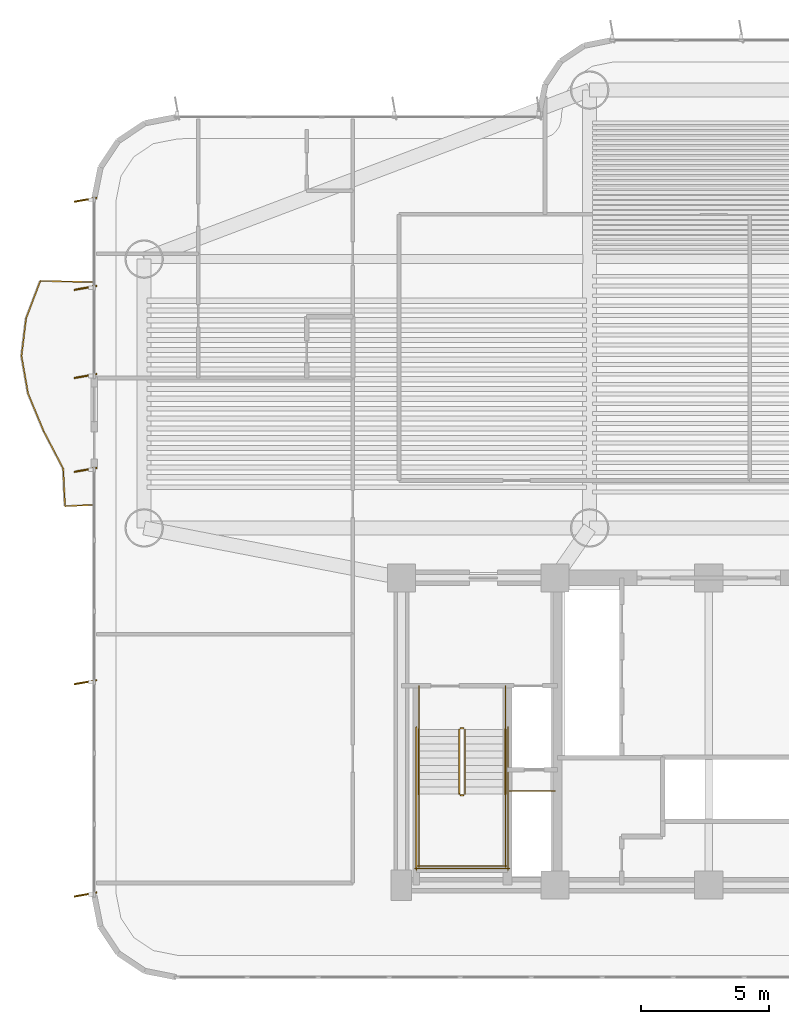
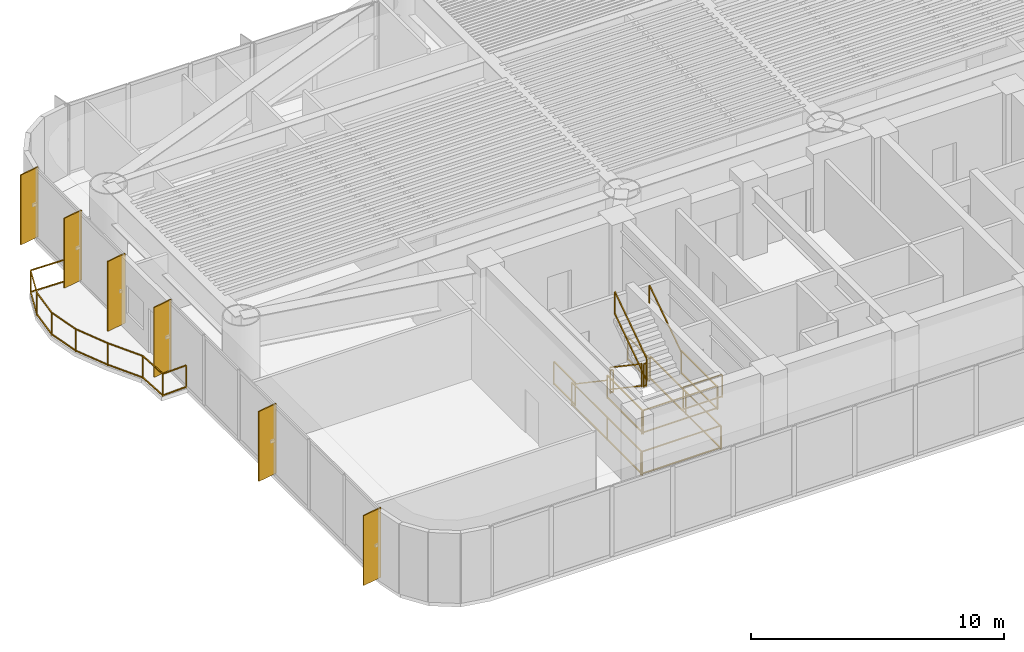
# One storey, part 14 of 17: 16 railings, 6 shading devices.
"""IFC4 building model written with IfcOpenShell, lengths in metres."""

from ifc_helpers import new_model, si_unit, direction, frame, origin, origin_2d, place, context, subcontext, project, spatial, rectangle, extrude, source, transform, mapped, material, layer, layer_set, material_profile, profile_set, type_object, element, save


model = new_model("IFC4")

# Units and contexts
model_context = context("Model", 3, precision=1e-05, world=origin(), true_north=direction((0.0, 1.0)))
body_context = subcontext(model_context, "Body", "Model", "MODEL_VIEW")
ifc_project = project(units=[si_unit("LENGTHUNIT", "METRE"), si_unit("AREAUNIT", "SQUARE_METRE"), si_unit("VOLUMEUNIT", "CUBIC_METRE"), si_unit("PLANEANGLEUNIT", "RADIAN"), si_unit("MASSUNIT", "GRAM", prefix="KILO")], contexts=[model_context])

# Site, building, storey
site_placement = place(None, origin())
site = spatial("IfcSite", under=ifc_project, at=site_placement, CompositionType="ELEMENT")
building_placement = place(site_placement, origin())
building = spatial("IfcBuilding", under=site, at=building_placement, Name="Brelvock Crest Care Tower", CompositionType="ELEMENT")
storey_placement = place(building_placement, frame((0.0, 0.0, 76.139892578125)))
storey = spatial("IfcBuildingStorey", under=building, at=storey_placement, Name="L19", CompositionType="ELEMENT", Elevation=76.139892578125)

# Railings
ifc_material_1 = material(Name="Dark Glass Double Glazed Low-E", Category="glass")
ifc_layer_1 = layer(ifc_material_1, 0.06005859375, Name="RL-BAL1")
ifc_layer_set_1 = layer_set([ifc_layer_1], Name="Dark Glass Double Glazed Low-E")
railing_type_1 = type_object("IfcRailingType", Name="RL-BAL1", PredefinedType="BALUSTRADE", material=ifc_layer_set_1)
railing_1_placement = place(storey_placement, frame((11.9599609375, 20.85009765625, 0.004150390625)))
element("IfcRailing", 1, at=railing_1_placement, inside=storey, type_object=railing_type_1, Name="L19 Safety Balustrade WB-W", PredefinedType="BALUSTRADE", context=body_context, shape_type="SweptSolid", body=[
    extrude(rectangle(XDim=0.048095703125, YDim=0.048095703125, at=origin_2d()), frame((-0.001953125, 0.0, 1.09619140625), z_axis=(-0.998966252902, -0.045457953795, 0.0), x_axis=(0.045457953795, -0.998966252902, 0.0)), (0.0, 0.0, 1.0), 1.096923828125),
    extrude(rectangle(XDim=0.048095703125, YDim=0.048095703125, at=origin_2d()), frame((-0.001953125, 0.0, 0.054931640625), z_axis=(-0.998966252902, -0.045457953795, 0.0), x_axis=(0.045457953795, -0.998966252902, 0.0)), (0.0, 0.0, 1.0), 1.096923828125),
    extrude(rectangle(XDim=0.048095703125, YDim=0.048095703125, at=origin_2d()), frame((-1.099853515625, -0.048095703125, 1.09619140625), z_axis=(-0.047225425177, 0.998884257167, 0.0), x_axis=(-0.998884257167, -0.047225425177, 0.0)), (0.0, 0.0, 1.0), 1.464111328125),
    extrude(rectangle(XDim=0.048095703125, YDim=0.048095703125, at=origin_2d()), frame((-1.099853515625, -0.048095703125, 0.054931640625), z_axis=(-0.047225425177, 0.998884257167, 0.0), x_axis=(-0.998884257167, -0.047225425177, 0.0)), (0.0, 0.0, 1.0), 1.464111328125),
    extrude(rectangle(XDim=0.048095703125, YDim=0.048095703125, at=origin_2d()), frame((-1.170166015625, 1.418212890625, 1.09619140625), z_axis=(-0.462263335989, 0.8867426956, 0.0), x_axis=(-0.8867426956, -0.462263335989, 0.0)), (0.0, 0.0, 1.0), 1.650146484375),
    extrude(rectangle(XDim=0.048095703125, YDim=0.048095703125, at=origin_2d()), frame((-1.170166015625, 1.418212890625, 0.054931640625), z_axis=(-0.462263335989, 0.8867426956, 0.0), x_axis=(-0.8867426956, -0.462263335989, 0.0)), (0.0, 0.0, 1.0), 1.650146484375),
    extrude(rectangle(XDim=0.048095703125, YDim=0.048095703125, at=origin_2d()), frame((-1.9345703125, 2.88525390625, 1.09619140625), z_axis=(-0.383184627058, 0.923671771565, 0.0), x_axis=(-0.923671771565, -0.383184627058, 0.0)), (0.0, 0.0, 1.0), 1.583740234375),
    extrude(rectangle(XDim=0.048095703125, YDim=0.048095703125, at=origin_2d()), frame((-1.9345703125, 2.88525390625, 0.054931640625), z_axis=(-0.383184627058, 0.923671771565, 0.0), x_axis=(-0.923671771565, -0.383184627058, 0.0)), (0.0, 0.0, 1.0), 1.583740234375),
    extrude(rectangle(XDim=0.048095703125, YDim=0.048095703125, at=origin_2d()), frame((-2.54248046875, 4.351806640625, 1.09619140625), z_axis=(-0.171839377524, 0.985124981072, 0.0), x_axis=(-0.985124981072, -0.171839377524, 0.0)), (0.0, 0.0, 1.0), 1.48486328125),
    extrude(rectangle(XDim=0.048095703125, YDim=0.048095703125, at=origin_2d()), frame((-2.54248046875, 4.351806640625, 0.054931640625), z_axis=(-0.171839377524, 0.985124981072, 0.0), x_axis=(-0.985124981072, -0.171839377524, 0.0)), (0.0, 0.0, 1.0), 1.48486328125),
    extrude(rectangle(XDim=0.048095703125, YDim=0.048095703125, at=origin_2d()), frame((-2.7978515625, 5.818603515625, 1.09619140625), z_axis=(0.121125859225, 0.992637157388, 0.0), x_axis=(-0.992637157388, 0.121125859225, 0.0)), (0.0, 0.0, 1.0), 1.473388671875),
    extrude(rectangle(XDim=0.048095703125, YDim=0.048095703125, at=origin_2d()), frame((-2.7978515625, 5.818603515625, 0.054931640625), z_axis=(0.121125859225, 0.992637157388, 0.0), x_axis=(-0.992637157388, 0.121125859225, 0.0)), (0.0, 0.0, 1.0), 1.473388671875),
    extrude(rectangle(XDim=0.048095703125, YDim=0.048095703125, at=origin_2d()), frame((-2.618408203125, 7.28515625, 1.09619140625), z_axis=(0.354668308232, 0.93499218774, 0.0), x_axis=(-0.93499218774, 0.354668308232, 0.0)), (0.0, 0.0, 1.0), 1.564697265625),
    extrude(rectangle(XDim=0.048095703125, YDim=0.048095703125, at=origin_2d()), frame((-2.618408203125, 7.28515625, 0.054931640625), z_axis=(0.354668308232, 0.93499218774, 0.0), x_axis=(-0.93499218774, 0.354668308232, 0.0)), (0.0, 0.0, 1.0), 1.564697265625),
    extrude(rectangle(XDim=0.048095703125, YDim=0.048095703125, at=origin_2d()), frame((-2.060791015625, 8.75, 1.09619140625), z_axis=(0.999705777823, -0.024256087638, 0.0), x_axis=(0.024256087638, 0.999705777823, 0.0)), (0.0, 0.0, 1.0), 2.059326171875),
    extrude(rectangle(XDim=0.048095703125, YDim=0.048095703125, at=origin_2d()), frame((-2.060791015625, 8.75, 0.054931640625), z_axis=(0.999705777823, -0.024256087638, 0.0), x_axis=(0.024256087638, 0.999705777823, 0.0)), (0.0, 0.0, 1.0), 2.059326171875),
    extrude(rectangle(XDim=0.0419921875, YDim=0.0419921875, at=origin_2d()), origin(), (0.0, 0.0, 1.0), 1.070068359375),
    extrude(rectangle(XDim=0.0419921875, YDim=0.0419921875, at=origin_2d()), frame((-1.099853515625, -0.050048828125, 0.0)), (0.0, 0.0, 1.0), 1.070068359375),
    extrude(rectangle(XDim=0.0419921875, YDim=0.0419921875, at=origin_2d()), frame((-1.169189453125, 1.41650390625, 0.0)), (0.0, 0.0, 1.0), 1.070068359375),
    extrude(rectangle(XDim=0.0419921875, YDim=0.0419921875, at=origin_2d()), frame((-1.933837890625, 2.88330078125, 0.0)), (0.0, 0.0, 1.0), 1.070068359375),
    extrude(rectangle(XDim=0.0419921875, YDim=0.0419921875, at=origin_2d()), frame((-2.542236328125, 4.349853515625, 0.0)), (0.0, 0.0, 1.0), 1.070068359375),
    extrude(rectangle(XDim=0.0419921875, YDim=0.0419921875, at=origin_2d()), frame((-2.798095703125, 5.816650390625, 0.0)), (0.0, 0.0, 1.0), 1.070068359375),
    extrude(rectangle(XDim=0.0419921875, YDim=0.0419921875, at=origin_2d()), frame((-2.619140625, 7.283203125, 0.0)), (0.0, 0.0, 1.0), 1.070068359375),
    extrude(rectangle(XDim=0.0419921875, YDim=0.0419921875, at=origin_2d()), frame((-2.062744140625, 8.75, 0.0)), (0.0, 0.0, 1.0), 1.070068359375),
    extrude(rectangle(XDim=0.0419921875, YDim=0.0419921875, at=origin_2d()), frame((0.0, 8.699951171875, 0.0)), (0.0, 0.0, 1.0), 1.070068359375),
])
ifc_material_2 = material(Name="Steel Grade 350", Category="steel")
ifc_layer_2 = layer(ifc_material_2, 0.050048828125, Name="RL-STG1")
ifc_layer_set_2 = layer_set([ifc_layer_2], Name="Steel Grade 350")
railing_type_2 = type_object("IfcRailingType", Name="RL-STG1", PredefinedType="GUARDRAIL", material=ifc_layer_set_2)
railing_2_placement = place(storey_placement, frame((26.260009765625, 12.080078125, 0.189208984375)))
element("IfcRailing", 2, at=railing_2_placement, inside=storey, type_object=railing_type_2, Name="L19 ST-1 stair guard 1", PredefinedType="GUARDRAIL", context=body_context, shape_type="SweptSolid", body=[
    extrude(rectangle(XDim=0.048095703125, YDim=0.048095703125, at=origin_2d()), frame((0.0, -0.001708984375, 1.116943359375), z_axis=(0.0, -0.828861706735, 0.559453546873), x_axis=(1.0, 0.0, 0.0)), (0.0, 0.0, 1.0), 3.036376953125),
    extrude(rectangle(XDim=0.048095703125, YDim=0.048095703125, at=origin_2d()), frame((0.0, -0.001708984375, 0.05615234375), z_axis=(0.0, -0.828861706735, 0.559453546873), x_axis=(1.0, 0.0, 0.0)), (0.0, 0.0, 1.0), 3.036376953125),
    extrude(rectangle(XDim=0.0419921875, YDim=0.0419921875, at=origin_2d()), origin(), (0.0, 0.0, 1.0), 1.08984375),
    extrude(rectangle(XDim=0.0419921875, YDim=0.0419921875, at=origin_2d()), frame((0.0, -2.52001953125, 1.700927734375)), (0.0, 0.0, 1.0), 1.08984375),
])
railing_3_placement = place(storey_placement, frame((26.31005859375, 9.510009765625, 1.89013671875)))
element("IfcRailing", 3, at=railing_3_placement, inside=storey, type_object=railing_type_2, Name="L19 ST-1 stair guard 2", PredefinedType="GUARDRAIL", context=body_context, shape_type="SweptSolid", body=[
    extrude(rectangle(XDim=0.048095703125, YDim=0.048095703125, at=origin_2d()), frame((0.001953125, 0.0, 1.11572265625), z_axis=(1.0, 0.0, 0.0), x_axis=(0.0, 1.0, 0.0)), (0.0, 0.0, 1.0), 0.115966796875),
    extrude(rectangle(XDim=0.048095703125, YDim=0.048095703125, at=origin_2d()), frame((0.001953125, 0.0, 0.054931640625), z_axis=(1.0, 0.0, 0.0), x_axis=(0.0, 1.0, 0.0)), (0.0, 0.0, 1.0), 0.115966796875),
    extrude(rectangle(XDim=0.0419921875, YDim=0.0419921875, at=origin_2d()), origin(), (0.0, 0.0, 1.0), 1.08984375),
    extrude(rectangle(XDim=0.0419921875, YDim=0.0419921875, at=origin_2d()), frame((0.119873046875, 0.0, 0.0)), (0.0, 0.0, 1.0), 1.08984375),
])
for number, where, name in (
    (4, (24.679931640625, 9.56005859375, 1.89013671875), "L19 ST-1 stair guard 3"),
    (5, (28.06005859375, 9.56005859375, 1.89013671875), "L19 ST-1 stair guard 4"),
):
    element("IfcRailing", number, at=place(storey_placement, frame(where)), inside=storey, type_object=railing_type_2, Name=name, PredefinedType="GUARDRAIL", context=body_context, shape_type="SweptSolid", body=[
        extrude(rectangle(XDim=0.048095703125, YDim=0.048095703125, at=origin_2d()), frame((0.0, -0.001953125, 1.11572265625), z_axis=(0.0, -1.0, 0.0), x_axis=(1.0, 0.0, 0.0)), (0.0, 0.0, 1.0), 2.856201171875),
        extrude(rectangle(XDim=0.048095703125, YDim=0.048095703125, at=origin_2d()), frame((0.0, -0.001953125, 0.054931640625), z_axis=(0.0, -1.0, 0.0), x_axis=(1.0, 0.0, 0.0)), (0.0, 0.0, 1.0), 2.856201171875),
        extrude(rectangle(XDim=0.0419921875, YDim=0.0419921875, at=origin_2d()), origin(), (0.0, 0.0, 1.0), 1.08984375),
        extrude(rectangle(XDim=0.0419921875, YDim=0.0419921875, at=origin_2d()), frame((0.0, -2.860107421875, 0.0)), (0.0, 0.0, 1.0), 1.08984375),
    ])
railing_4_placement = place(storey_placement, frame((24.6298828125, 6.75, 1.89013671875)))
element("IfcRailing", 6, at=railing_4_placement, inside=storey, type_object=railing_type_2, Name="L19 ST-1 stair guard 5", PredefinedType="GUARDRAIL", context=body_context, shape_type="SweptSolid", body=[
    extrude(rectangle(XDim=0.048095703125, YDim=0.048095703125, at=origin_2d()), frame((0.001953125, 0.0, 1.11572265625), z_axis=(1.0, 0.0, 0.0), x_axis=(0.0, 1.0, 0.0)), (0.0, 0.0, 1.0), 3.476318359375),
    extrude(rectangle(XDim=0.048095703125, YDim=0.048095703125, at=origin_2d()), frame((0.001953125, 0.0, 0.054931640625), z_axis=(1.0, 0.0, 0.0), x_axis=(0.0, 1.0, 0.0)), (0.0, 0.0, 1.0), 3.476318359375),
    extrude(rectangle(XDim=0.0419921875, YDim=0.0419921875, at=origin_2d()), origin(), (0.0, 0.0, 1.0), 1.08984375),
    extrude(rectangle(XDim=0.0419921875, YDim=0.0419921875, at=origin_2d()), frame((3.480224609375, 0.0, 0.0)), (0.0, 0.0, 1.0), 1.08984375),
])
railing_5_placement = place(storey_placement, frame((26.47998046875, 9.56005859375, 2.0791015625)))
element("IfcRailing", 7, at=railing_5_placement, inside=storey, type_object=railing_type_2, Name="L19 ST-1 stair guard 6", PredefinedType="GUARDRAIL", context=body_context, shape_type="SweptSolid", body=[
    extrude(rectangle(XDim=0.048095703125, YDim=0.048095703125, at=origin_2d()), frame((0.0, 0.001708984375, 1.116943359375), z_axis=(0.0, 0.828861706735, 0.559453546873), x_axis=(-1.0, 0.0, 0.0)), (0.0, 0.0, 1.0), 3.036376953125),
    extrude(rectangle(XDim=0.048095703125, YDim=0.048095703125, at=origin_2d()), frame((0.0, 0.001708984375, 0.05615234375), z_axis=(0.0, 0.828861706735, 0.559453546873), x_axis=(-1.0, 0.0, 0.0)), (0.0, 0.0, 1.0), 3.036376953125),
    extrude(rectangle(XDim=0.0419921875, YDim=0.0419921875, at=origin_2d()), origin(), (0.0, 0.0, 1.0), 1.08984375),
    extrude(rectangle(XDim=0.0419921875, YDim=0.0419921875, at=origin_2d()), frame((0.0, 2.52001953125, 1.700927734375)), (0.0, 0.0, 1.0), 1.08984375),
])
railing_6_placement = place(storey_placement, frame((26.31005859375, 12.1298828125, 0.0)))
element("IfcRailing", 8, at=railing_6_placement, inside=storey, type_object=railing_type_2, Name="L19 ST-1 stair guard 7", PredefinedType="GUARDRAIL", context=body_context, shape_type="SweptSolid", body=[
    extrude(rectangle(XDim=0.048095703125, YDim=0.048095703125, at=origin_2d()), frame((0.001953125, 0.0, 1.11572265625), z_axis=(1.0, 0.0, 0.0), x_axis=(0.0, 1.0, 0.0)), (0.0, 0.0, 1.0), 0.115966796875),
    extrude(rectangle(XDim=0.048095703125, YDim=0.048095703125, at=origin_2d()), frame((0.001953125, 0.0, 0.054931640625), z_axis=(1.0, 0.0, 0.0), x_axis=(0.0, 1.0, 0.0)), (0.0, 0.0, 1.0), 0.115966796875),
    extrude(rectangle(XDim=0.0419921875, YDim=0.0419921875, at=origin_2d()), origin(), (0.0, 0.0, 1.0), 1.08984375),
    extrude(rectangle(XDim=0.0419921875, YDim=0.0419921875, at=origin_2d()), frame((0.119873046875, 0.0, 0.0)), (0.0, 0.0, 1.0), 1.08984375),
])
for number, where, name in (
    (9, (24.679931640625, 13.780029296875, 0.0), "L19 ST-1 stair guard 8"),
    (10, (28.06005859375, 13.780029296875, 0.0), "L19 ST-1 stair guard 9"),
):
    element("IfcRailing", number, at=place(storey_placement, frame(where)), inside=storey, type_object=railing_type_2, Name=name, PredefinedType="GUARDRAIL", context=body_context, shape_type="SweptSolid", body=[
        extrude(rectangle(XDim=0.048095703125, YDim=0.048095703125, at=origin_2d()), frame((0.0, -0.001953125, 1.11572265625), z_axis=(0.0, -1.0, 0.0), x_axis=(1.0, 0.0, 0.0)), (0.0, 0.0, 1.0), 1.696044921875),
        extrude(rectangle(XDim=0.048095703125, YDim=0.048095703125, at=origin_2d()), frame((0.0, -0.001953125, 0.054931640625), z_axis=(0.0, -1.0, 0.0), x_axis=(1.0, 0.0, 0.0)), (0.0, 0.0, 1.0), 1.696044921875),
        extrude(rectangle(XDim=0.0419921875, YDim=0.0419921875, at=origin_2d()), origin(), (0.0, 0.0, 1.0), 1.08984375),
        extrude(rectangle(XDim=0.0419921875, YDim=0.0419921875, at=origin_2d()), frame((0.0, -1.699951171875, 0.0)), (0.0, 0.0, 1.0), 1.08984375),
    ])
for number, where, name in (
    (11, (24.580078125, 12.179931640625, 0.0), "L19 ST-1 stair guard 10"),
    (12, (28.159912109375, 12.179931640625, 0.0), "L19 ST-1 stair guard 11"),
):
    element("IfcRailing", number, at=place(storey_placement, frame(where)), inside=storey, type_object=railing_type_2, Name=name, PredefinedType="GUARDRAIL", context=body_context, shape_type="SweptSolid", body=[
        extrude(rectangle(XDim=0.048095703125, YDim=0.048095703125, at=origin_2d()), frame((0.0, -0.001953125, 1.11572265625), z_axis=(0.0, -1.0, 0.0), x_axis=(1.0, 0.0, 0.0)), (0.0, 0.0, 1.0), 5.575927734375),
        extrude(rectangle(XDim=0.048095703125, YDim=0.048095703125, at=origin_2d()), frame((0.0, -0.001953125, 0.054931640625), z_axis=(0.0, -1.0, 0.0), x_axis=(1.0, 0.0, 0.0)), (0.0, 0.0, 1.0), 5.575927734375),
        extrude(rectangle(XDim=0.0419921875, YDim=0.0419921875, at=origin_2d()), origin(), (0.0, 0.0, 1.0), 1.08984375),
        extrude(rectangle(XDim=0.0419921875, YDim=0.0419921875, at=origin_2d()), frame((0.0, -2.7900390625, 0.0)), (0.0, 0.0, 1.0), 1.08984375),
        extrude(rectangle(XDim=0.0419921875, YDim=0.0419921875, at=origin_2d()), frame((0.0, -5.579833984375, 0.0)), (0.0, 0.0, 1.0), 1.08984375),
    ])
railing_7_placement = place(storey_placement, frame((24.530029296875, 6.64990234375, 0.0)))
element("IfcRailing", 13, at=railing_7_placement, inside=storey, type_object=railing_type_2, Name="L19 ST-1 stair guard 12", PredefinedType="GUARDRAIL", context=body_context, shape_type="SweptSolid", body=[
    extrude(rectangle(XDim=0.048095703125, YDim=0.048095703125, at=origin_2d()), frame((0.001953125, 0.0, 1.11572265625), z_axis=(1.0, 0.0, 0.0), x_axis=(0.0, 1.0, 0.0)), (0.0, 0.0, 1.0), 3.676025390625),
    extrude(rectangle(XDim=0.048095703125, YDim=0.048095703125, at=origin_2d()), frame((0.001953125, 0.0, 0.054931640625), z_axis=(1.0, 0.0, 0.0), x_axis=(0.0, 1.0, 0.0)), (0.0, 0.0, 1.0), 3.676025390625),
    extrude(rectangle(XDim=0.0419921875, YDim=0.0419921875, at=origin_2d()), origin(), (0.0, 0.0, 1.0), 1.08984375),
    extrude(rectangle(XDim=0.0419921875, YDim=0.0419921875, at=origin_2d()), frame((3.679931640625, 0.0, 0.0)), (0.0, 0.0, 1.0), 1.08984375),
])
railing_8_placement = place(storey_placement, frame((28.219970703125, 9.679931640625, 0.0)))
element("IfcRailing", 14, at=railing_8_placement, inside=storey, type_object=railing_type_2, Name="L19 Fire Riser Threshold Guard", PredefinedType="GUARDRAIL", context=body_context, shape_type="SweptSolid", body=[
    extrude(rectangle(XDim=0.048095703125, YDim=0.048095703125, at=origin_2d()), frame((0.001953125, 0.0, 1.11572265625), z_axis=(1.0, 0.0, 0.0), x_axis=(0.0, 1.0, 0.0)), (0.0, 0.0, 1.0), 1.776123046875),
    extrude(rectangle(XDim=0.048095703125, YDim=0.048095703125, at=origin_2d()), frame((0.001953125, 0.0, 0.054931640625), z_axis=(1.0, 0.0, 0.0), x_axis=(0.0, 1.0, 0.0)), (0.0, 0.0, 1.0), 1.776123046875),
    extrude(rectangle(XDim=0.0419921875, YDim=0.0419921875, at=origin_2d()), origin(), (0.0, 0.0, 1.0), 1.08984375),
    extrude(rectangle(XDim=0.0419921875, YDim=0.0419921875, at=origin_2d()), frame((1.780029296875, 0.0, 0.0)), (0.0, 0.0, 1.0), 1.08984375),
])
ifc_layer_3 = layer(ifc_material_2, 0.048095703125, Name="RL-STH1")
ifc_layer_set_3 = layer_set([ifc_layer_3], Name="Steel Grade 350")
railing_type_3 = type_object("IfcRailingType", Name="RL-STH1", PredefinedType="HANDRAIL", material=ifc_layer_set_3)
railing_9_placement = place(storey_placement, frame((24.679931640625, 12.080078125, 0.189208984375)))
element("IfcRailing", 15, at=railing_9_placement, inside=storey, type_object=railing_type_3, Name="L19 ST-1 stair handrail 1", PredefinedType="HANDRAIL", context=body_context, shape_type="SweptSolid", body=[
    extrude(rectangle(XDim=0.048095703125, YDim=0.048095703125, at=origin_2d()), frame((0.0, -0.001708984375, 0.876953125), z_axis=(0.0, -0.828861706735, 0.559453546873), x_axis=(1.0, 0.0, 0.0)), (0.0, 0.0, 1.0), 3.036376953125),
    extrude(rectangle(XDim=0.0419921875, YDim=0.0419921875, at=origin_2d()), origin(), (0.0, 0.0, 1.0), 0.849853515625),
    extrude(rectangle(XDim=0.0419921875, YDim=0.0419921875, at=origin_2d()), frame((0.0, -2.52001953125, 1.700927734375)), (0.0, 0.0, 1.0), 0.849853515625),
])
railing_10_placement = place(storey_placement, frame((28.06005859375, 9.56005859375, 2.0791015625)))
element("IfcRailing", 16, at=railing_10_placement, inside=storey, type_object=railing_type_3, Name="L19 ST-1 stair handrail 2", PredefinedType="HANDRAIL", context=body_context, shape_type="SweptSolid", body=[
    extrude(rectangle(XDim=0.048095703125, YDim=0.048095703125, at=origin_2d()), frame((0.0, 0.001708984375, 0.876953125), z_axis=(0.0, 0.828861706735, 0.559453546873), x_axis=(-1.0, 0.0, 0.0)), (0.0, 0.0, 1.0), 3.036376953125),
    extrude(rectangle(XDim=0.0419921875, YDim=0.0419921875, at=origin_2d()), origin(), (0.0, 0.0, 1.0), 0.849853515625),
    extrude(rectangle(XDim=0.0419921875, YDim=0.0419921875, at=origin_2d()), frame((0.0, 2.52001953125, 1.700927734375)), (0.0, 0.0, 1.0), 0.849853515625),
])

# Shading devices
ifc_material_3 = material(Name="Aluminium 6063-T6", Category="aluminium")
ifc_material_profile = material_profile(ifc_material_3, rectangle(XDim=0.054931640625, YDim=0.89990234375, at=origin_2d()), Name="FIN55x900")
ifc_profile_set = profile_set([ifc_material_profile], Name="Aluminium 6063-T6")
shading_device_type = type_object("IfcShadingDeviceType", Name="SHD-FIN1", PredefinedType="USERDEFINED", material=ifc_profile_set)
shared_shape = source(origin(), body_context, "Body", "SweptSolid", [
    extrude(rectangle(XDim=0.054931640625, YDim=0.89990234375, at=origin_2d()), origin(), (0.0, 0.0, 1.0), 3.3720703125),
])
for number, where, z_axis, x_axis, name in (
    (17, (11.659912109375, 5.632568359375, 0.0), (0.0, 0.0, 1.0), (-0.173648177667, 0.984807753012, 0.0), "L19 Vertical Sunshade Fin E13A-01"),
    (18, (11.659912109375, 13.925048828125, 0.0), (0.0, 0.0, 1.0), (-0.173648177667, 0.984807753012, 0.0), "L19 Vertical Sunshade Fin E13A-04"),
    (19, (11.659912109375, 22.217529296875, 0.0), (0.0, 0.0, 1.0), (-0.173648177667, 0.984807753012, 0.0), "L19 Vertical Sunshade Fin E13A-07"),
    (20, (11.659912109375, 25.882568359375, 0.0), (0.0, 0.0, 1.0), (-0.173648177667, 0.984807753012, 0.0), "L19 Vertical Sunshade Fin E13B-01"),
    (21, (11.659912109375, 29.324951171875, 0.0), (0.0, 0.0, 1.0), (-0.173648177667, 0.984807753012, 0.0), "L19 Vertical Sunshade Fin E13B-02"),
    (22, (11.659912109375, 32.767578125, 0.0), (0.0, 0.0, 1.0), (-0.173648177667, 0.984807753012, 0.0), "L19 Vertical Sunshade Fin E13B-03"),
):
    element("IfcShadingDevice", number, at=place(storey_placement, frame(where, z_axis=z_axis, x_axis=x_axis)), inside=storey, type_object=shading_device_type, Name=name, ObjectType="FIN", PredefinedType="USERDEFINED", context=body_context, shape_type="MappedRepresentation", body=[
        mapped(shared_shape, transform((0.0, 0.0, 0.0), x_axis=(1.0, 0.0, 0.0), y_axis=(0.0, 1.0, 0.0), z_axis=(0.0, 0.0, 1.0), scale=1.0)),
    ])

save(model, "model.ifc")
